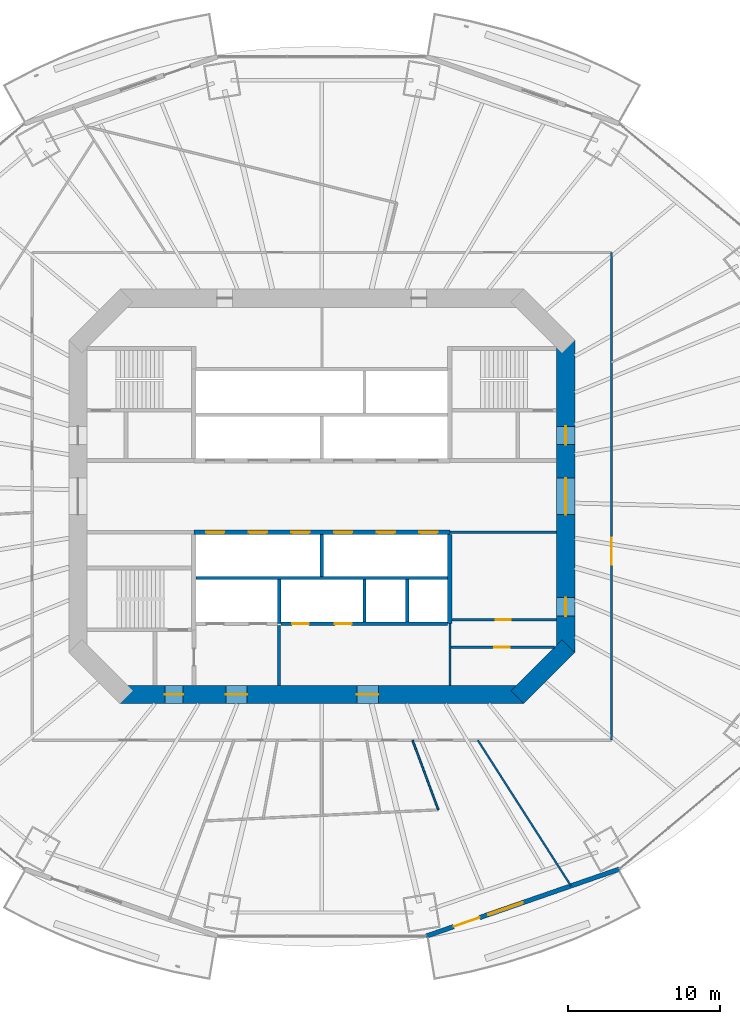
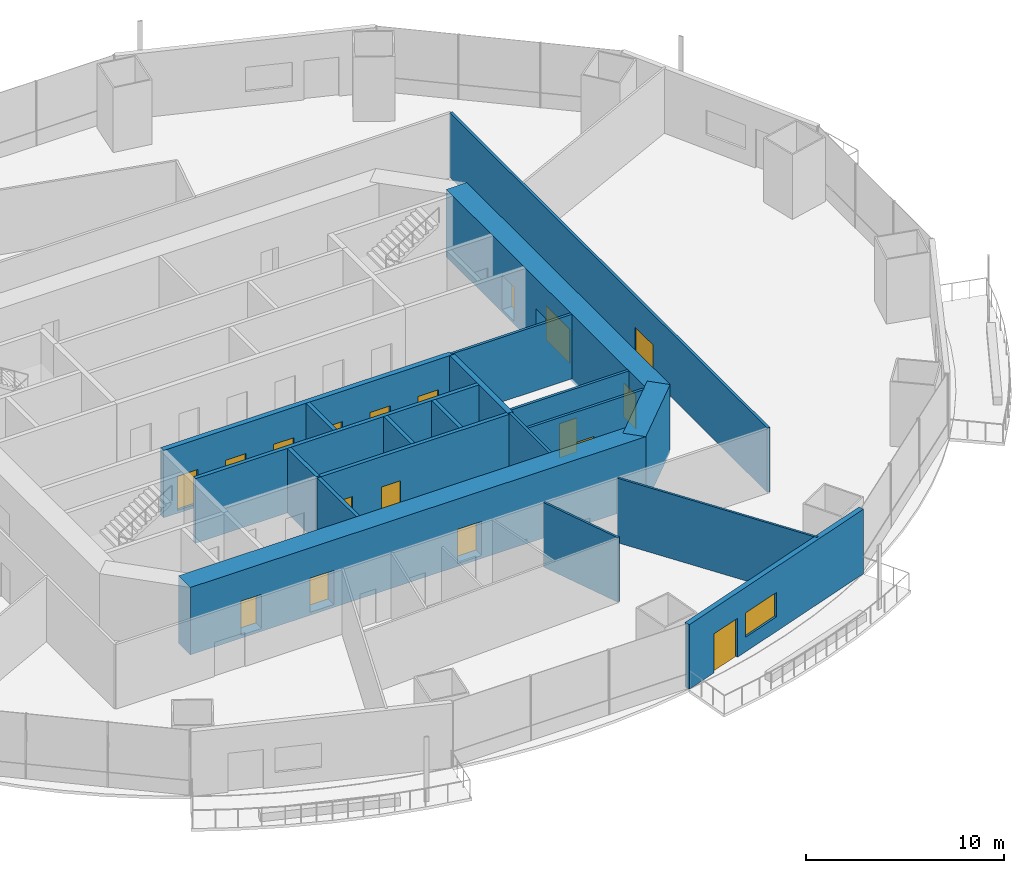
# One storey, part 14 of 22: 20 walls, 18 doors, 1 window, 19 openings.
"""IFC4 building model written with IfcOpenShell, lengths in metres."""

import ifcopenshell
import ifcopenshell.guid

model = None  # the IFC model being written
_history = None  # IfcOwnerHistory: only IFC2X3 demands one
_inside = {}  # id of a spatial element -> (the spatial element, [elements in it])
_under = {}  # id of a project, library or spatial element -> (it, [spatial elements below it])
_declared = {}  # id of a project -> (the project, [libraries it declares])
_typed = {}  # id of a type object -> (the type object, [elements of that type])
_made_of = {}  # id of a material, layer set ... -> (it, [elements and type objects made of it])


def new_model(schema):
    """Start an empty IFC model of exactly this schema.

    Asked for "IFC4X3", IfcOpenShell would pick the latest addendum, in which some entities
    have other attributes; the version numbers below select the first issue.
    IFC2X3 requires an IfcOwnerHistory on every rooted entity: one is made here for all.
    """
    global model, _history
    if schema == "IFC4X3":
        model = ifcopenshell.file(schema_version=(4, 3, 0, 0))
    else:
        model = ifcopenshell.file(schema=schema)
    _inside.clear()
    _under.clear()
    _declared.clear()
    _typed.clear()
    _made_of.clear()
    _history = None
    if model.schema == "IFC2X3":
        org = make("IfcOrganization", Name="unknown")
        user = make(
            "IfcPersonAndOrganization",
            ThePerson=make("IfcPerson", FamilyName="unknown"),
            TheOrganization=org,
        )
        app = make(
            "IfcApplication",
            ApplicationDeveloper=org,
            Version="unknown",
            ApplicationFullName="unknown",
            ApplicationIdentifier="unknown",
        )
        _history = make(
            "IfcOwnerHistory",
            OwningUser=user,
            OwningApplication=app,
            ChangeAction="ADDED",
            CreationDate=0,
        )
    return model


def make(cls, **values):
    """One entity of the class cls with the attributes given. An attribute that is None is left unset."""
    return model.create_entity(
        cls, **{name: value for name, value in values.items() if value is not None}
    )


def rooted(cls, **values):
    """An entity with a GlobalId (a new one), such as an element, a storey or a relation."""
    return make(cls, GlobalId=ifcopenshell.guid.new(), OwnerHistory=_history, **values)


def si_unit(unit_type, name, prefix=None):
    """IfcSIUnit, for example si_unit("LENGTHUNIT", "METRE", prefix="MILLI")."""
    return make("IfcSIUnit", UnitType=unit_type, Prefix=prefix, Name=name)


def assignment(units):
    """IfcUnitAssignment: the units of a project."""
    return None if units is None else make("IfcUnitAssignment", Units=units)


def point(xyz):
    """IfcCartesianPoint."""
    return None if xyz is None else make("IfcCartesianPoint", Coordinates=xyz)


def direction(xyz):
    """IfcDirection."""
    return None if xyz is None else make("IfcDirection", DirectionRatios=xyz)


def frame(location, z_axis=None, x_axis=None):
    """IfcAxis2Placement3D, a coordinate frame: its origin and axes. An axis left out is left unset."""
    return make(
        "IfcAxis2Placement3D",
        Location=point(location),
        Axis=direction(z_axis),
        RefDirection=direction(x_axis),
    )


def frame_2d(location, x_axis=None):
    """IfcAxis2Placement2D, a coordinate frame in the plane: its origin and x axis."""
    return make(
        "IfcAxis2Placement2D", Location=point(location), RefDirection=direction(x_axis)
    )


def origin():
    """The frame at (0, 0, 0) with its axes left unset."""
    return frame((0.0, 0.0, 0.0))


def place(relative_to, where):
    """IfcLocalPlacement: puts the frame where relative to a parent placement (None: the world)."""
    return make(
        "IfcLocalPlacement", PlacementRelTo=relative_to, RelativePlacement=where
    )


def context(
    kind, dimensions, precision=None, world=None, true_north=None, identifier=None
):
    """IfcGeometricRepresentationContext, for example the 3D "Model" context."""
    return make(
        "IfcGeometricRepresentationContext",
        ContextIdentifier=identifier,
        ContextType=kind,
        CoordinateSpaceDimension=dimensions,
        Precision=precision,
        WorldCoordinateSystem=world,
        TrueNorth=true_north,
    )


def subcontext(parent, identifier, kind, view, scale=None):
    """IfcGeometricRepresentationSubContext, for example "Body" below "Model"."""
    return make(
        "IfcGeometricRepresentationSubContext",
        ContextIdentifier=identifier,
        ContextType=kind,
        ParentContext=parent,
        TargetScale=scale,
        TargetView=view,
    )


def project(units=None, contexts=None):
    """IfcProject with its units and contexts."""
    return rooted(
        "IfcProject",
        Name="project",
        RepresentationContexts=contexts,
        UnitsInContext=assignment(units),
    )


def spatial(cls, under=None, at=None, **own):
    """A site, building, storey or space (cls), placed at a placement, below another one or the project."""
    s = rooted(cls, ObjectPlacement=at, **own)
    if under is not None:
        _under.setdefault(under.id(), (under, []))[1].append(s)
    return s


def profile(cls, at=None, kind="AREA", **sizes):
    """A parametric profile (cls). Its sizes go by their IFC names, for example OverallWidth=200.0."""
    return make(cls, ProfileType=kind, Position=at, **sizes)


def rectangle(**sizes):
    """IfcRectangleProfileDef."""
    return profile("IfcRectangleProfileDef", **sizes)


def extrude(swept, where, along, depth):
    """IfcExtrudedAreaSolid: the profile swept, set in the frame where, extruded along a direction by depth."""
    return make(
        "IfcExtrudedAreaSolid",
        SweptArea=swept,
        Position=where,
        ExtrudedDirection=direction(along),
        Depth=depth,
    )


def shape(context_of_items, identifier, shape_type, items):
    """IfcShapeRepresentation: the items that make up one representation, for example the "Body"."""
    return make(
        "IfcShapeRepresentation",
        ContextOfItems=context_of_items,
        RepresentationIdentifier=identifier,
        RepresentationType=shape_type,
        Items=items,
    )


def material(Name=None, Category=None):
    """IfcMaterial."""
    return make("IfcMaterial", Name=Name, Category=Category)


def layer(
    of_material, thickness, ventilated=None, Name=None, Category=None, Priority=None
):
    """IfcMaterialLayer: one layer of a wall or slab, of a material (None: an air gap)."""
    return make(
        "IfcMaterialLayer",
        Material=of_material,
        LayerThickness=thickness,
        IsVentilated=ventilated,
        Name=Name,
        Category=Category,
        Priority=Priority,
    )


def layer_set(layers, Name=None):
    """IfcMaterialLayerSet."""
    return make("IfcMaterialLayerSet", MaterialLayers=layers, LayerSetName=Name)


def made_of(thing, what):
    """Note that an element or type object is made of a material, layer set ...; save() writes the relation."""
    if what is not None:
        _made_of.setdefault(what.id(), (what, []))[1].append(thing)
    return thing


def type_object(cls, material=None, **own):
    """A type object (cls), such as IfcWallType, which elements share."""
    return made_of(rooted(cls, **own), material)


def element(
    cls,
    number,
    at=None,
    inside=None,
    cuts=None,
    type_object=None,
    material=None,
    context=None,
    identifier="Body",
    shape_type=None,
    held_by="IfcProductDefinitionShape",
    body=None,
    shapes=None,
    **own,
):
    """One element of the class cls, such as IfcWall. Its Tag is "e" and its number.

    at: its placement. inside: the storey or other place that contains it. cuts: it is an
    opening in that element (IfcRelVoidsElement). A single representation is given by context,
    identifier, shape_type and body (its items); several are given by shapes. held_by: the class
    of the entity that holds the representations. save() writes the other relations.
    """
    e = rooted(cls, Tag="e%d" % number, ObjectPlacement=at, **own)
    if body is not None:
        shapes = [shape(context, identifier, shape_type, body)]
    if shapes is not None:
        e.Representation = make(held_by, Representations=shapes)
    if inside is not None:
        _inside.setdefault(inside.id(), (inside, []))[1].append(e)
    if cuts is not None:
        rooted(
            "IfcRelVoidsElement", RelatingBuildingElement=cuts, RelatedOpeningElement=e
        )
    if type_object is not None:
        _typed.setdefault(type_object.id(), (type_object, []))[1].append(e)
    return made_of(e, material)


def fill(opening, filler):
    """IfcRelFillsElement: the door or window that sits in an opening."""
    return rooted(
        "IfcRelFillsElement",
        RelatingOpeningElement=opening,
        RelatedBuildingElement=filler,
    )


def aggregate(whole, parts):
    """IfcRelAggregates: a whole, such as a stair, and the parts it consists of."""
    return rooted("IfcRelAggregates", RelatingObject=whole, RelatedObjects=parts)


def save(model, path):
    """Write the relations noted so far, then the file.

    IfcRelAggregates (storeys below a building ...), IfcRelContainedInSpatialStructure (elements
    in a storey), IfcRelDefinesByType, IfcRelAssociatesMaterial and IfcRelDeclares: one each for
    every whole, place, type object, material and project.
    """
    for whole, parts in _under.values():
        aggregate(whole, parts)
    for where, things in _inside.values():
        rooted(
            "IfcRelContainedInSpatialStructure",
            RelatedElements=things,
            RelatingStructure=where,
        )
    for kind, things in _typed.values():
        rooted("IfcRelDefinesByType", RelatedObjects=things, RelatingType=kind)
    for what, things in _made_of.values():
        rooted("IfcRelAssociatesMaterial", RelatedObjects=things, RelatingMaterial=what)
    for by, libraries in _declared.values():
        rooted("IfcRelDeclares", RelatingContext=by, RelatedDefinitions=libraries)
    model.write(path)


model = new_model("IFC4")

# Units and contexts
model_context = context("Model", 3, precision=1e-05, world=origin(), true_north=direction((0.0, 1.0)))
body_context = subcontext(model_context, "Body", "Model", "MODEL_VIEW")
ifc_project = project(units=[si_unit("LENGTHUNIT", "METRE"), si_unit("AREAUNIT", "SQUARE_METRE"), si_unit("VOLUMEUNIT", "CUBIC_METRE"), si_unit("PLANEANGLEUNIT", "RADIAN"), si_unit("MASSUNIT", "GRAM", prefix="KILO")], contexts=[model_context])

# Site, building, storey
site_placement = place(None, origin())
site = spatial("IfcSite", under=ifc_project, at=site_placement, CompositionType="ELEMENT")
building_placement = place(site_placement, origin())
building = spatial("IfcBuilding", under=site, at=building_placement, Name="Marenthal Gate Tower", CompositionType="ELEMENT")
storey_placement = place(building_placement, frame((0.0, 0.0, 82.800048828125)))
storey = spatial("IfcBuildingStorey", under=building, at=storey_placement, Name="L16", CompositionType="ELEMENT", Elevation=82.800048828125)

# Wall
ifc_material_1 = material(Name="Concrete 60 MPa", Category="concrete")
ifc_layer_1 = layer(ifc_material_1, 1.199951171875)
ifc_layer_set_1 = layer_set([ifc_layer_1], Name="Core shear wall 1200")
wall_type_1 = type_object("IfcWallType", Name="Core shear wall 1200", PredefinedType="SHEAR", material=ifc_layer_set_1)
wall_1_placement = place(storey_placement, frame((12.82421875, -13.17578125, -0.179931640625), z_axis=(0.0, 0.0, 1.0), x_axis=(0.707106781187, 0.707106781187, 0.0)))
element("IfcWall", 1, at=wall_1_placement, inside=storey, type_object=wall_type_1, Name="Core wall 01", PredefinedType="SHEAR", context=body_context, shape_type="SweptSolid", body=[
    extrude(rectangle(XDim=4.73974609375, YDim=1.199951171875, at=frame_2d((2.369873046875, 0.0))), origin(), (0.0, 0.0, 1.0), 4.14990234375),
])

# Wall, openings, doors
wall_2_placement = place(storey_placement, frame((16.0, -10.24853515625, -0.179931640625), z_axis=(0.0, 0.0, 1.0), x_axis=(0.0, 1.0, 0.0)))
wall_2 = element("IfcWall", 2, at=wall_2_placement, inside=storey, type_object=wall_type_1, Name="Core wall 02", PredefinedType="SHEAR", context=body_context, shape_type="SweptSolid", body=[
    extrude(rectangle(XDim=20.4970703125, YDim=1.199951171875, at=frame_2d((10.24853515625, 0.0))), origin(), (0.0, 0.0, 1.0), 4.14990234375),
])
opening_1_placement = place(wall_2_placement, frame((9.048583984375, 0.0, 0.179931640625)))
opening_1 = element("IfcOpeningElement", 3, at=opening_1_placement, cuts=wall_2, Name="Opening D003.02", PredefinedType="OPENING", context=body_context, shape_type="SweptSolid", body=[
    extrude(rectangle(XDim=2.39990234375, YDim=2.10009765625, at=frame_2d((1.199951171875, 1.050048828125))), frame((0.0, 0.60986328125, 0.0), z_axis=(0.0, -1.0, 0.0), x_axis=(1.0, 0.0, 0.0)), (0.0, 0.0, 1.0), 1.219970703125),
])
opening_2_placement = place(wall_2_placement, frame((13.6484375, 0.0, 0.179931640625)))
opening_2 = element("IfcOpeningElement", 4, at=opening_2_placement, cuts=wall_2, Name="Opening D001.05", PredefinedType="OPENING", context=body_context, shape_type="SweptSolid", body=[
    extrude(rectangle(XDim=1.199951171875, YDim=2.10009765625, at=frame_2d((0.60009765625, 1.050048828125))), frame((0.0, 0.60986328125, 0.0), z_axis=(0.0, -1.0, 0.0), x_axis=(1.0, 0.0, 0.0)), (0.0, 0.0, 1.0), 1.219970703125),
])
opening_3_placement = place(wall_2_placement, frame((2.39990234375, 0.0, 0.179931640625)))
opening_3 = element("IfcOpeningElement", 5, at=opening_3_placement, cuts=wall_2, Name="Opening D006.01", PredefinedType="OPENING", context=body_context, shape_type="SweptSolid", body=[
    extrude(rectangle(XDim=1.199951171875, YDim=2.10009765625, at=frame_2d((0.60009765625, 1.050048828125))), frame((0.0, 0.60986328125, 0.0), z_axis=(0.0, -1.0, 0.0), x_axis=(1.0, 0.0, 0.0)), (0.0, 0.0, 1.0), 1.219970703125),
])
ifc_material_2 = material(Name="Steel fire door", Category="steel")
door_type_1 = type_object("IfcDoorType", Name="Double fire door FD 45 2400 x 2100", OperationType="DOUBLE_DOOR_SINGLE_SWING", PredefinedType="DOOR", material=ifc_material_2)
door_1_placement = place(opening_1_placement, origin())
door_1 = element("IfcDoor", 6, at=door_1_placement, inside=storey, type_object=door_type_1, Name="Door D003.02", OperationType="DOUBLE_DOOR_SINGLE_SWING", OverallHeight=2.10009765625, OverallWidth=2.39990234375, PredefinedType="DOOR", context=body_context, shape_type="SweptSolid", body=[
    extrude(rectangle(XDim=2.39990234375, YDim=2.10009765625, at=frame_2d((1.199951171875, 1.050048828125))), frame((0.0, 0.02490234375, 0.0), z_axis=(0.0, -1.0, 0.0), x_axis=(1.0, 0.0, 0.0)), (0.0, 0.0, 1.0), 0.050048828125),
])
fill(opening_1, door_1)
ifc_material_3 = material(Name="Steel fire door", Category="steel")
door_type_2 = type_object("IfcDoorType", Name="Fire door FD 45 1200 x 2100", OperationType="NOTDEFINED", PredefinedType="DOOR", material=ifc_material_3)
door_2_placement = place(opening_3_placement, origin())
door_2 = element("IfcDoor", 7, at=door_2_placement, inside=storey, type_object=door_type_2, Name="Door D006.01", OperationType="SINGLE_SWING_RIGHT", OverallHeight=2.10009765625, OverallWidth=1.199951171875, PredefinedType="DOOR", context=body_context, shape_type="SweptSolid", body=[
    extrude(rectangle(XDim=1.199951171875, YDim=2.10009765625, at=frame_2d((0.60009765625, 1.050048828125))), frame((0.0, 0.02490234375, 0.0), z_axis=(0.0, -1.0, 0.0), x_axis=(1.0, 0.0, 0.0)), (0.0, 0.0, 1.0), 0.050048828125),
])
fill(opening_3, door_2)
ifc_material_4 = material(Name="Steel fire door", Category="steel")
door_type_3 = type_object("IfcDoorType", Name="Fire door FD 90 1200 x 2100", OperationType="NOTDEFINED", PredefinedType="DOOR", material=ifc_material_4)
door_3_placement = place(opening_2_placement, origin())
door_3 = element("IfcDoor", 8, at=door_3_placement, inside=storey, type_object=door_type_3, Name="Door D001.05", OperationType="SINGLE_SWING_RIGHT", OverallHeight=2.10009765625, OverallWidth=1.199951171875, PredefinedType="DOOR", context=body_context, shape_type="SweptSolid", body=[
    extrude(rectangle(XDim=1.199951171875, YDim=2.10009765625, at=frame_2d((0.60009765625, 1.050048828125))), frame((0.0, 0.02490234375, 0.0), z_axis=(0.0, -1.0, 0.0), x_axis=(1.0, 0.0, 0.0)), (0.0, 0.0, 1.0), 0.050048828125),
])
fill(opening_2, door_3)

wall_3_placement = place(storey_placement, frame((-13.24853515625, -13.0, -0.179931640625), z_axis=(0.0, 0.0, 1.0), x_axis=(1.0, 0.0, 0.0)))
wall_3 = element("IfcWall", 9, at=wall_3_placement, inside=storey, type_object=wall_type_1, Name="Core wall 08", PredefinedType="SHEAR", context=body_context, shape_type="SweptSolid", body=[
    extrude(rectangle(XDim=26.4970703125, YDim=1.199951171875, at=frame_2d((13.24853515625, 0.0))), origin(), (0.0, 0.0, 1.0), 4.14990234375),
])
opening_4_placement = place(wall_3_placement, frame((2.948486328125, 0.0, 0.179931640625)))
opening_4 = element("IfcOpeningElement", 10, at=opening_4_placement, cuts=wall_3, Name="Opening D001.06", PredefinedType="OPENING", context=body_context, shape_type="SweptSolid", body=[
    extrude(rectangle(XDim=1.199951171875, YDim=2.10009765625, at=frame_2d((0.60009765625, 1.050048828125))), frame((0.0, 0.60986328125, 0.0), z_axis=(0.0, -1.0, 0.0), x_axis=(1.0, 0.0, 0.0)), (0.0, 0.0, 1.0), 1.219970703125),
])
opening_5_placement = place(wall_3_placement, frame((6.948486328125, 0.0, 0.179931640625)))
opening_5 = element("IfcOpeningElement", 11, at=opening_5_placement, cuts=wall_3, Name="Opening D004.01", PredefinedType="OPENING", context=body_context, shape_type="SweptSolid", body=[
    extrude(rectangle(XDim=1.39990234375, YDim=2.10009765625, at=frame_2d((0.699951171875, 1.050048828125))), frame((0.0, 0.60986328125, 0.0), z_axis=(0.0, -1.0, 0.0), x_axis=(1.0, 0.0, 0.0)), (0.0, 0.0, 1.0), 1.219970703125),
])
opening_6_placement = place(wall_3_placement, frame((15.548583984375, 0.0, 0.179931640625)))
opening_6 = element("IfcOpeningElement", 12, at=opening_6_placement, cuts=wall_3, Name="Opening D004.02", PredefinedType="OPENING", context=body_context, shape_type="SweptSolid", body=[
    extrude(rectangle(XDim=1.39990234375, YDim=2.10009765625, at=frame_2d((0.699951171875, 1.050048828125))), frame((0.0, 0.60986328125, 0.0), z_axis=(0.0, -1.0, 0.0), x_axis=(1.0, 0.0, 0.0)), (0.0, 0.0, 1.0), 1.219970703125),
])
ifc_material_5 = material(Name="Steel fire door", Category="steel")
door_type_4 = type_object("IfcDoorType", Name="Fire door FD 45 1400 x 2100", OperationType="NOTDEFINED", PredefinedType="DOOR", material=ifc_material_5)
door_4_placement = place(opening_5_placement, origin())
door_4 = element("IfcDoor", 13, at=door_4_placement, inside=storey, type_object=door_type_4, Name="Door D004.01", OperationType="SINGLE_SWING_RIGHT", OverallHeight=2.10009765625, OverallWidth=1.39990234375, PredefinedType="DOOR", context=body_context, shape_type="SweptSolid", body=[
    extrude(rectangle(XDim=1.39990234375, YDim=2.10009765625, at=frame_2d((0.699951171875, 1.050048828125))), frame((0.0, 0.02490234375, 0.0), z_axis=(0.0, -1.0, 0.0), x_axis=(1.0, 0.0, 0.0)), (0.0, 0.0, 1.0), 0.050048828125),
])
fill(opening_5, door_4)
door_5_placement = place(opening_6_placement, origin())
door_5 = element("IfcDoor", 14, at=door_5_placement, inside=storey, type_object=door_type_4, Name="Door D004.02", OperationType="SINGLE_SWING_RIGHT", OverallHeight=2.10009765625, OverallWidth=1.39990234375, PredefinedType="DOOR", context=body_context, shape_type="SweptSolid", body=[
    extrude(rectangle(XDim=1.39990234375, YDim=2.10009765625, at=frame_2d((0.699951171875, 1.050048828125))), frame((0.0, 0.02490234375, 0.0), z_axis=(0.0, -1.0, 0.0), x_axis=(1.0, 0.0, 0.0)), (0.0, 0.0, 1.0), 0.050048828125),
])
fill(opening_6, door_5)
door_6_placement = place(opening_4_placement, origin())
door_6 = element("IfcDoor", 15, at=door_6_placement, inside=storey, type_object=door_type_3, Name="Door D001.06", OperationType="SINGLE_SWING_RIGHT", OverallHeight=2.10009765625, OverallWidth=1.199951171875, PredefinedType="DOOR", context=body_context, shape_type="SweptSolid", body=[
    extrude(rectangle(XDim=1.199951171875, YDim=2.10009765625, at=frame_2d((0.60009765625, 1.050048828125))), frame((0.0, 0.02490234375, 0.0), z_axis=(0.0, -1.0, 0.0), x_axis=(1.0, 0.0, 0.0)), (0.0, 0.0, 1.0), 0.050048828125),
])
fill(opening_4, door_6)

# Wall
ifc_material_6 = material(Name="Gypsum board on steel studs", Category="steel")
ifc_layer_2 = layer(ifc_material_6, 0.199951171875)
ifc_layer_set_2 = layer_set([ifc_layer_2], Name="Fire lobby wall 200")
wall_type_2 = type_object("IfcWallType", Name="Fire lobby wall 200", PredefinedType="PARTITIONING", material=ifc_layer_set_2)
wall_4_placement = place(storey_placement, frame((-2.800048828125, -12.39990234375, 0.0), z_axis=(0.0, 0.0, 1.0), x_axis=(0.0, 1.0, 0.0)))
element("IfcWall", 16, at=wall_4_placement, inside=storey, type_object=wall_type_2, Name="Fire wall 34", PredefinedType="PARTITIONING", context=body_context, shape_type="SweptSolid", body=[
    extrude(rectangle(XDim=3.93994140625, YDim=0.199951171875, at=frame_2d((1.969970703125, 0.0))), origin(), (0.0, 0.0, 1.0), 3.969970703125),
])

# Wall, openings, doors
ifc_material_7 = material(Name="Concrete 50 MPa", Category="concrete")
ifc_layer_3 = layer(ifc_material_7, 0.300048828125)
ifc_layer_set_3 = layer_set([ifc_layer_3], Name="Hoistway shear wall 300")
wall_type_3 = type_object("IfcWallType", Name="Hoistway shear wall 300", PredefinedType="SHEAR", material=ifc_layer_set_3)
wall_5_placement = place(storey_placement, frame((-8.39990234375, -2.35009765625, -0.179931640625), z_axis=(0.0, 0.0, 1.0), x_axis=(1.0, 0.0, 0.0)))
wall_5 = element("IfcWall", 17, at=wall_5_placement, inside=storey, type_object=wall_type_3, Name="Hoistway wall 17", PredefinedType="SHEAR", context=body_context, shape_type="SweptSolid", body=[
    extrude(rectangle(XDim=16.7998046875, YDim=0.300048828125, at=frame_2d((8.39990234375, 0.0))), origin(), (0.0, 0.0, 1.0), 4.14990234375),
])
opening_7_placement = place(wall_5_placement, frame((0.800048828125, 0.0, 0.179931640625)))
opening_7 = element("IfcOpeningElement", 18, at=opening_7_placement, cuts=wall_5, Name="Opening LD-LP7", PredefinedType="OPENING", context=body_context, shape_type="SweptSolid", body=[
    extrude(rectangle(XDim=1.199951171875, YDim=2.10009765625, at=frame_2d((0.60009765625, 1.050048828125))), frame((0.0, 0.16015625, 0.0), z_axis=(0.0, -1.0, 0.0), x_axis=(1.0, 0.0, 0.0)), (0.0, 0.0, 1.0), 0.320068359375),
])
opening_8_placement = place(wall_5_placement, frame((3.60009765625, 0.0, 0.179931640625)))
opening_8 = element("IfcOpeningElement", 19, at=opening_8_placement, cuts=wall_5, Name="Opening LD-LP8", PredefinedType="OPENING", context=body_context, shape_type="SweptSolid", body=[
    extrude(rectangle(XDim=1.199951171875, YDim=2.10009765625, at=frame_2d((0.60009765625, 1.050048828125))), frame((0.0, 0.16015625, 0.0), z_axis=(0.0, -1.0, 0.0), x_axis=(1.0, 0.0, 0.0)), (0.0, 0.0, 1.0), 0.320068359375),
])
opening_9_placement = place(wall_5_placement, frame((6.39990234375, 0.0, 0.179931640625)))
opening_9 = element("IfcOpeningElement", 20, at=opening_9_placement, cuts=wall_5, Name="Opening LD-LP9", PredefinedType="OPENING", context=body_context, shape_type="SweptSolid", body=[
    extrude(rectangle(XDim=1.199951171875, YDim=2.10009765625, at=frame_2d((0.60009765625, 1.050048828125))), frame((0.0, 0.16015625, 0.0), z_axis=(0.0, -1.0, 0.0), x_axis=(1.0, 0.0, 0.0)), (0.0, 0.0, 1.0), 0.320068359375),
])
opening_10_placement = place(wall_5_placement, frame((9.199951171875, 0.0, 0.179931640625)))
opening_10 = element("IfcOpeningElement", 21, at=opening_10_placement, cuts=wall_5, Name="Opening LD-LP10", PredefinedType="OPENING", context=body_context, shape_type="SweptSolid", body=[
    extrude(rectangle(XDim=1.199951171875, YDim=2.10009765625, at=frame_2d((0.60009765625, 1.050048828125))), frame((0.0, 0.16015625, 0.0), z_axis=(0.0, -1.0, 0.0), x_axis=(1.0, 0.0, 0.0)), (0.0, 0.0, 1.0), 0.320068359375),
])
opening_11_placement = place(wall_5_placement, frame((12.0, 0.0, 0.179931640625)))
opening_11 = element("IfcOpeningElement", 22, at=opening_11_placement, cuts=wall_5, Name="Opening LD-LP11", PredefinedType="OPENING", context=body_context, shape_type="SweptSolid", body=[
    extrude(rectangle(XDim=1.199951171875, YDim=2.10009765625, at=frame_2d((0.60009765625, 1.050048828125))), frame((0.0, 0.16015625, 0.0), z_axis=(0.0, -1.0, 0.0), x_axis=(1.0, 0.0, 0.0)), (0.0, 0.0, 1.0), 0.320068359375),
])
opening_12_placement = place(wall_5_placement, frame((14.800048828125, 0.0, 0.179931640625)))
opening_12 = element("IfcOpeningElement", 23, at=opening_12_placement, cuts=wall_5, Name="Opening LD-LP12", PredefinedType="OPENING", context=body_context, shape_type="SweptSolid", body=[
    extrude(rectangle(XDim=1.199951171875, YDim=2.10009765625, at=frame_2d((0.60009765625, 1.050048828125))), frame((0.0, 0.16015625, 0.0), z_axis=(0.0, -1.0, 0.0), x_axis=(1.0, 0.0, 0.0)), (0.0, 0.0, 1.0), 0.320068359375),
])
ifc_material_8 = material(Name="Stainless steel sliding door", Category="steel")
door_type_5 = type_object("IfcDoorType", Name="Lift landing door FD 90 1200 x 2100", OperationType="DOUBLE_DOOR_SLIDING", PredefinedType="DOOR", material=ifc_material_8)
door_7_placement = place(opening_7_placement, origin())
door_7 = element("IfcDoor", 24, at=door_7_placement, inside=storey, type_object=door_type_5, Name="Lift landing door LP7", OperationType="DOUBLE_DOOR_SLIDING", OverallHeight=2.10009765625, OverallWidth=1.199951171875, PredefinedType="DOOR", context=body_context, shape_type="SweptSolid", body=[
    extrude(rectangle(XDim=1.199951171875, YDim=2.10009765625, at=frame_2d((0.60009765625, 1.050048828125))), frame((0.0, 0.02490234375, 0.0), z_axis=(0.0, -1.0, 0.0), x_axis=(1.0, 0.0, 0.0)), (0.0, 0.0, 1.0), 0.050048828125),
])
fill(opening_7, door_7)
door_8_placement = place(opening_8_placement, origin())
door_8 = element("IfcDoor", 25, at=door_8_placement, inside=storey, type_object=door_type_5, Name="Lift landing door LP8", OperationType="DOUBLE_DOOR_SLIDING", OverallHeight=2.10009765625, OverallWidth=1.199951171875, PredefinedType="DOOR", context=body_context, shape_type="SweptSolid", body=[
    extrude(rectangle(XDim=1.199951171875, YDim=2.10009765625, at=frame_2d((0.60009765625, 1.050048828125))), frame((0.0, 0.02490234375, 0.0), z_axis=(0.0, -1.0, 0.0), x_axis=(1.0, 0.0, 0.0)), (0.0, 0.0, 1.0), 0.050048828125),
])
fill(opening_8, door_8)
door_9_placement = place(opening_9_placement, origin())
door_9 = element("IfcDoor", 26, at=door_9_placement, inside=storey, type_object=door_type_5, Name="Lift landing door LP9", OperationType="DOUBLE_DOOR_SLIDING", OverallHeight=2.10009765625, OverallWidth=1.199951171875, PredefinedType="DOOR", context=body_context, shape_type="SweptSolid", body=[
    extrude(rectangle(XDim=1.199951171875, YDim=2.10009765625, at=frame_2d((0.60009765625, 1.050048828125))), frame((0.0, 0.02490234375, 0.0), z_axis=(0.0, -1.0, 0.0), x_axis=(1.0, 0.0, 0.0)), (0.0, 0.0, 1.0), 0.050048828125),
])
fill(opening_9, door_9)
door_10_placement = place(opening_10_placement, origin())
door_10 = element("IfcDoor", 27, at=door_10_placement, inside=storey, type_object=door_type_5, Name="Lift landing door LP10", OperationType="DOUBLE_DOOR_SLIDING", OverallHeight=2.10009765625, OverallWidth=1.199951171875, PredefinedType="DOOR", context=body_context, shape_type="SweptSolid", body=[
    extrude(rectangle(XDim=1.199951171875, YDim=2.10009765625, at=frame_2d((0.60009765625, 1.050048828125))), frame((0.0, 0.02490234375, 0.0), z_axis=(0.0, -1.0, 0.0), x_axis=(1.0, 0.0, 0.0)), (0.0, 0.0, 1.0), 0.050048828125),
])
fill(opening_10, door_10)
door_11_placement = place(opening_11_placement, origin())
door_11 = element("IfcDoor", 28, at=door_11_placement, inside=storey, type_object=door_type_5, Name="Lift landing door LP11", OperationType="DOUBLE_DOOR_SLIDING", OverallHeight=2.10009765625, OverallWidth=1.199951171875, PredefinedType="DOOR", context=body_context, shape_type="SweptSolid", body=[
    extrude(rectangle(XDim=1.199951171875, YDim=2.10009765625, at=frame_2d((0.60009765625, 1.050048828125))), frame((0.0, 0.02490234375, 0.0), z_axis=(0.0, -1.0, 0.0), x_axis=(1.0, 0.0, 0.0)), (0.0, 0.0, 1.0), 0.050048828125),
])
fill(opening_11, door_11)
door_12_placement = place(opening_12_placement, origin())
door_12 = element("IfcDoor", 29, at=door_12_placement, inside=storey, type_object=door_type_5, Name="Lift landing door LP12", OperationType="DOUBLE_DOOR_SLIDING", OverallHeight=2.10009765625, OverallWidth=1.199951171875, PredefinedType="DOOR", context=body_context, shape_type="SweptSolid", body=[
    extrude(rectangle(XDim=1.199951171875, YDim=2.10009765625, at=frame_2d((0.60009765625, 1.050048828125))), frame((0.0, 0.02490234375, 0.0), z_axis=(0.0, -1.0, 0.0), x_axis=(1.0, 0.0, 0.0)), (0.0, 0.0, 1.0), 0.050048828125),
])
fill(opening_12, door_12)

# Wall
wall_6_placement = place(storey_placement, frame((8.39990234375, -8.35009765625, -0.179931640625), z_axis=(0.0, 0.0, 1.0), x_axis=(0.0, 1.0, 0.0)))
element("IfcWall", 30, at=wall_6_placement, inside=storey, type_object=wall_type_3, Name="Hoistway wall 43", PredefinedType="SHEAR", context=body_context, shape_type="SweptSolid", body=[
    extrude(rectangle(XDim=5.85009765625, YDim=0.300048828125, at=frame_2d((2.925048828125, 0.0))), origin(), (0.0, 0.0, 1.0), 4.14990234375),
])

# Wall, openings, doors
ifc_material_9 = material(Name="Concrete 40 MPa", Category="concrete")
ifc_layer_4 = layer(ifc_material_9, 0.219970703125)
ifc_layer_set_4 = layer_set([ifc_layer_4], Name="Hoistway wall 220")
wall_type_4 = type_object("IfcWallType", Name="Hoistway wall 220", PredefinedType="STANDARD", material=ifc_layer_set_4)
wall_7_placement = place(storey_placement, frame((-2.68994140625, -8.35009765625, 0.0), z_axis=(0.0, 0.0, 1.0), x_axis=(1.0, 0.0, 0.0)))
wall_7 = element("IfcWall", 31, at=wall_7_placement, inside=storey, type_object=wall_type_4, Name="Hoistway wall 12", PredefinedType="STANDARD", context=body_context, shape_type="SweptSolid", body=[
    extrude(rectangle(XDim=10.93994140625, YDim=0.219970703125, at=frame_2d((5.469970703125, 0.0))), origin(), (0.0, 0.0, 1.0), 3.969970703125),
])
opening_13_placement = place(wall_7_placement, frame((0.739990234375, 0.0, 0.0)))
opening_13 = element("IfcOpeningElement", 32, at=opening_13_placement, cuts=wall_7, Name="Opening LD-SV1", PredefinedType="OPENING", context=body_context, shape_type="SweptSolid", body=[
    extrude(rectangle(XDim=1.10009765625, YDim=2.10009765625, at=frame_2d((0.550048828125, 1.050048828125))), frame((0.0, 0.1201171875, 0.0), z_axis=(0.0, -1.0, 0.0), x_axis=(1.0, 0.0, 0.0)), (0.0, 0.0, 1.0), 0.239990234375),
])
opening_14_placement = place(wall_7_placement, frame((3.5400390625, 0.0, 0.0)))
opening_14 = element("IfcOpeningElement", 33, at=opening_14_placement, cuts=wall_7, Name="Opening LD-SV2", PredefinedType="OPENING", context=body_context, shape_type="SweptSolid", body=[
    extrude(rectangle(XDim=1.10009765625, YDim=2.10009765625, at=frame_2d((0.550048828125, 1.050048828125))), frame((0.0, 0.1201171875, 0.0), z_axis=(0.0, -1.0, 0.0), x_axis=(1.0, 0.0, 0.0)), (0.0, 0.0, 1.0), 0.239990234375),
])
ifc_material_10 = material(Name="Stainless steel sliding door", Category="steel")
door_type_6 = type_object("IfcDoorType", Name="Lift landing door FD 90 1100 x 2100", OperationType="DOUBLE_DOOR_SLIDING", PredefinedType="DOOR", material=ifc_material_10)
door_13_placement = place(opening_13_placement, origin())
door_13 = element("IfcDoor", 34, at=door_13_placement, inside=storey, type_object=door_type_6, Name="Lift landing door SV1", OperationType="DOUBLE_DOOR_SLIDING", OverallHeight=2.10009765625, OverallWidth=1.10009765625, PredefinedType="DOOR", context=body_context, shape_type="SweptSolid", body=[
    extrude(rectangle(XDim=1.10009765625, YDim=2.10009765625, at=frame_2d((0.550048828125, 1.050048828125))), frame((0.0, 0.02490234375, 0.0), z_axis=(0.0, -1.0, 0.0), x_axis=(1.0, 0.0, 0.0)), (0.0, 0.0, 1.0), 0.050048828125),
])
fill(opening_13, door_13)
door_14_placement = place(opening_14_placement, origin())
door_14 = element("IfcDoor", 35, at=door_14_placement, inside=storey, type_object=door_type_6, Name="Lift landing door SV2", OperationType="DOUBLE_DOOR_SLIDING", OverallHeight=2.10009765625, OverallWidth=1.10009765625, PredefinedType="DOOR", context=body_context, shape_type="SweptSolid", body=[
    extrude(rectangle(XDim=1.10009765625, YDim=2.10009765625, at=frame_2d((0.550048828125, 1.050048828125))), frame((0.0, 0.02490234375, 0.0), z_axis=(0.0, -1.0, 0.0), x_axis=(1.0, 0.0, 0.0)), (0.0, 0.0, 1.0), 0.050048828125),
])
fill(opening_14, door_14)

# Walls
wall_8_placement = place(storey_placement, frame((-8.25, -5.35009765625, 0.0), z_axis=(0.0, 0.0, 1.0), x_axis=(1.0, 0.0, 0.0)))
element("IfcWall", 36, at=wall_8_placement, inside=storey, type_object=wall_type_4, Name="Hoistway wall 14", PredefinedType="STANDARD", context=body_context, shape_type="SweptSolid", body=[
    extrude(rectangle(XDim=16.5, YDim=0.219970703125, at=frame_2d((8.25, 0.0))), origin(), (0.0, 0.0, 1.0), 3.969970703125),
])
wall_9_placement = place(storey_placement, frame((-2.800048828125, -8.35009765625, 0.0), z_axis=(0.0, 0.0, 1.0), x_axis=(0.0, 1.0, 0.0)))
element("IfcWall", 37, at=wall_9_placement, inside=storey, type_object=wall_type_4, Name="Hoistway wall 35", PredefinedType="STANDARD", context=body_context, shape_type="SweptSolid", body=[
    extrude(rectangle(XDim=2.89013671875, YDim=0.219970703125, at=frame_2d((1.445068359375, 0.0))), origin(), (0.0, 0.0, 1.0), 3.969970703125),
])
wall_10_placement = place(storey_placement, frame((0.0, -5.239990234375, 0.0), z_axis=(0.0, 0.0, 1.0), x_axis=(0.0, 1.0, 0.0)))
element("IfcWall", 38, at=wall_10_placement, inside=storey, type_object=wall_type_4, Name="Hoistway wall 36", PredefinedType="STANDARD", context=body_context, shape_type="SweptSolid", body=[
    extrude(rectangle(XDim=2.739990234375, YDim=0.219970703125, at=frame_2d((1.3701171875, 0.0))), origin(), (0.0, 0.0, 1.0), 3.969970703125),
])
for number, where, z_axis, x_axis, name in (
    (39, (2.800048828125, -8.239990234375, 0.0), (0.0, 0.0, 1.0), (0.0, 1.0, 0.0), "Hoistway wall 39"),
    (40, (5.60009765625, -8.239990234375, 0.0), (0.0, 0.0, 1.0), (0.0, 1.0, 0.0), "Hoistway wall 41"),
):
    element("IfcWall", number, at=place(storey_placement, frame(where, z_axis=z_axis, x_axis=x_axis)), inside=storey, type_object=wall_type_4, Name=name, PredefinedType="STANDARD", context=body_context, shape_type="SweptSolid", body=[
        extrude(rectangle(XDim=2.780029296875, YDim=0.219970703125, at=frame_2d((1.39013671875, 0.0))), origin(), (0.0, 0.0, 1.0), 3.969970703125),
    ])
ifc_material_11 = material(Name="Gypsum board on steel studs", Category="steel")
ifc_layer_5 = layer(ifc_material_11, 0.1201171875)
ifc_layer_set_5 = layer_set([ifc_layer_5], Name="Partition 120")
wall_type_5 = type_object("IfcWallType", Name="Partition 120", PredefinedType="PARTITIONING", material=ifc_layer_set_5)
wall_11_placement = place(storey_placement, frame((7.64306640625, -20.564697265625, 0.0), z_axis=(0.0, 0.0, 1.0), x_axis=(-0.348380368387, 0.93735325194, 0.0)))
element("IfcWall", 41, at=wall_11_placement, inside=storey, type_object=wall_type_5, Name="Partition wall 62", PredefinedType="PARTITIONING", context=body_context, shape_type="SweptSolid", body=[
    extrude(rectangle(XDim=4.869873046875, YDim=0.1201171875, at=frame_2d((2.43505859375, 0.0))), origin(), (0.0, 0.0, 1.0), 3.969970703125),
])
wall_12_placement = place(storey_placement, frame((10.231201171875, -16.0, 0.0), z_axis=(0.0, 0.0, 1.0), x_axis=(0.538717793893, -0.84248628389, 0.0)))
element("IfcWall", 42, at=wall_12_placement, inside=storey, type_object=wall_type_5, Name="Partition wall 63", PredefinedType="PARTITIONING", context=body_context, shape_type="SweptSolid", body=[
    extrude(rectangle(XDim=11.34521484375, YDim=0.1201171875, at=frame_2d((5.672607421875, 0.0))), origin(), (0.0, 0.0, 1.0), 3.969970703125),
])

# Wall, opening, door
ifc_material_12 = material(Name="Gypsum board on steel studs", Category="steel")
ifc_layer_6 = layer(ifc_material_12, 0.14990234375)
ifc_layer_set_6 = layer_set([ifc_layer_6], Name="Partition 150")
wall_type_6 = type_object("IfcWallType", Name="Partition 150", PredefinedType="PARTITIONING", material=ifc_layer_set_6)
wall_13_placement = place(storey_placement, frame((8.47509765625, -9.89990234375, 0.0), z_axis=(0.0, 0.0, 1.0), x_axis=(1.0, 0.0, 0.0)))
wall_13 = element("IfcWall", 43, at=wall_13_placement, inside=storey, type_object=wall_type_6, Name="Partition wall 09", PredefinedType="PARTITIONING", context=body_context, shape_type="SweptSolid", body=[
    extrude(rectangle(XDim=6.7763671875, YDim=0.14990234375, at=frame_2d((3.38818359375, 0.0))), origin(), (0.0, 0.0, 1.0), 3.969970703125),
])
opening_15_placement = place(wall_13_placement, frame((2.8505859375, 0.0, 0.0)))
opening_15 = element("IfcOpeningElement", 44, at=opening_15_placement, cuts=wall_13, Name="Opening D005.04", PredefinedType="OPENING", context=body_context, shape_type="SweptSolid", body=[
    extrude(rectangle(XDim=1.0, YDim=2.10009765625, at=frame_2d((0.5, 1.050048828125))), frame((0.0, 0.0849609375, 0.0), z_axis=(0.0, -1.0, 0.0), x_axis=(1.0, 0.0, 0.0)), (0.0, 0.0, 1.0), 0.169921875),
])
ifc_material_13 = material(Name="Steel fire door", Category="steel")
door_type_7 = type_object("IfcDoorType", Name="Fire door FD 45 1000 x 2100", OperationType="NOTDEFINED", PredefinedType="DOOR", material=ifc_material_13)
door_15_placement = place(opening_15_placement, frame((1.0, 0.0, 0.0), z_axis=(0.0, 0.0, 1.0), x_axis=(-1.0, 0.0, 0.0)))
door_15 = element("IfcDoor", 45, at=door_15_placement, inside=storey, type_object=door_type_7, Name="Door D005.04", OperationType="SINGLE_SWING_LEFT", OverallHeight=2.10009765625, OverallWidth=1.0, PredefinedType="DOOR", context=body_context, shape_type="SweptSolid", body=[
    extrude(rectangle(XDim=1.0, YDim=2.10009765625, at=frame_2d((0.5, 1.050048828125))), frame((0.0, 0.02490234375, 0.0), z_axis=(0.0, -1.0, 0.0), x_axis=(1.0, 0.0, 0.0)), (0.0, 0.0, 1.0), 0.050048828125),
])
fill(opening_15, door_15)

wall_14_placement = place(storey_placement, frame((8.550048828125, -8.10009765625, 0.0), z_axis=(0.0, 0.0, 1.0), x_axis=(1.0, 0.0, 0.0)))
wall_14 = element("IfcWall", 46, at=wall_14_placement, inside=storey, type_object=wall_type_6, Name="Partition wall 13", PredefinedType="PARTITIONING", context=body_context, shape_type="SweptSolid", body=[
    extrude(rectangle(XDim=6.849853515625, YDim=0.14990234375, at=frame_2d((3.4248046875, 0.0))), origin(), (0.0, 0.0, 1.0), 3.969970703125),
])
opening_16_placement = place(wall_14_placement, frame((2.85009765625, 0.0, 0.0)))
opening_16 = element("IfcOpeningElement", 47, at=opening_16_placement, cuts=wall_14, Name="Opening D005.03", PredefinedType="OPENING", context=body_context, shape_type="SweptSolid", body=[
    extrude(rectangle(XDim=1.0, YDim=2.10009765625, at=frame_2d((0.5, 1.050048828125))), frame((0.0, 0.0849609375, 0.0), z_axis=(0.0, -1.0, 0.0), x_axis=(1.0, 0.0, 0.0)), (0.0, 0.0, 1.0), 0.169921875),
])
door_16_placement = place(opening_16_placement, origin())
door_16 = element("IfcDoor", 48, at=door_16_placement, inside=storey, type_object=door_type_7, Name="Door D005.03", OperationType="SINGLE_SWING_RIGHT", OverallHeight=2.10009765625, OverallWidth=1.0, PredefinedType="DOOR", context=body_context, shape_type="SweptSolid", body=[
    extrude(rectangle(XDim=1.0, YDim=2.10009765625, at=frame_2d((0.5, 1.050048828125))), frame((0.0, 0.02490234375, 0.0), z_axis=(0.0, -1.0, 0.0), x_axis=(1.0, 0.0, 0.0)), (0.0, 0.0, 1.0), 0.050048828125),
])
fill(opening_16, door_16)

# Walls
wall_15_placement = place(storey_placement, frame((8.39990234375, -2.35009765625, 0.0), z_axis=(0.0, 0.0, 1.0), x_axis=(1.0, 0.0, 0.0)))
element("IfcWall", 49, at=wall_15_placement, inside=storey, type_object=wall_type_6, Name="Partition wall 18", PredefinedType="PARTITIONING", context=body_context, shape_type="SweptSolid", body=[
    extrude(rectangle(XDim=7.0, YDim=0.14990234375, at=frame_2d((3.5, 0.0))), origin(), (0.0, 0.0, 1.0), 3.969970703125),
])
wall_16_placement = place(storey_placement, frame((8.39990234375, -12.39990234375, 0.0), z_axis=(0.0, 0.0, 1.0), x_axis=(0.0, 1.0, 0.0)))
element("IfcWall", 50, at=wall_16_placement, inside=storey, type_object=wall_type_6, Name="Partition wall 42", PredefinedType="PARTITIONING", context=body_context, shape_type="SweptSolid", body=[
    extrude(rectangle(XDim=4.0498046875, YDim=0.14990234375, at=frame_2d((2.02490234375, 0.0))), origin(), (0.0, 0.0, 1.0), 3.969970703125),
])

# Wall, opening, door
wall_17_placement = place(storey_placement, frame((19.0, 16.0, 0.0), z_axis=(0.0, 0.0, 1.0), x_axis=(0.0, -1.0, 0.0)))
wall_17 = element("IfcWall", 51, at=wall_17_placement, inside=storey, type_object=wall_type_6, Name="Partition wall 66", PredefinedType="PARTITIONING", context=body_context, shape_type="SweptSolid", body=[
    extrude(rectangle(XDim=32.0, YDim=0.14990234375, at=frame_2d((16.0, 0.0))), origin(), (0.0, 0.0, 1.0), 3.969970703125),
])
opening_17_placement = place(wall_17_placement, frame((18.700927734375, 0.0, 0.0)))
opening_17 = element("IfcOpeningElement", 52, at=opening_17_placement, cuts=wall_17, Name="Opening D014.04", PredefinedType="OPENING", context=body_context, shape_type="SweptSolid", body=[
    extrude(rectangle(XDim=1.800048828125, YDim=2.10009765625, at=frame_2d((0.89990234375, 1.050048828125))), frame((0.0, 0.0849609375, 0.0), z_axis=(0.0, -1.0, 0.0), x_axis=(1.0, 0.0, 0.0)), (0.0, 0.0, 1.0), 0.169921875),
])
ifc_material_14 = material(Name="Timber door", Category="wood")
door_type_8 = type_object("IfcDoorType", Name="Double door 1800 x 2100", OperationType="DOUBLE_DOOR_SINGLE_SWING", PredefinedType="DOOR", material=ifc_material_14)
door_17_placement = place(opening_17_placement, origin())
door_17 = element("IfcDoor", 53, at=door_17_placement, inside=storey, type_object=door_type_8, Name="Door D014.04", OperationType="DOUBLE_DOOR_SINGLE_SWING", OverallHeight=2.10009765625, OverallWidth=1.800048828125, PredefinedType="DOOR", context=body_context, shape_type="SweptSolid", body=[
    extrude(rectangle(XDim=1.800048828125, YDim=2.10009765625, at=frame_2d((0.89990234375, 1.050048828125))), frame((0.0, 0.02490234375, 0.0), z_axis=(0.0, -1.0, 0.0), x_axis=(1.0, 0.0, 0.0)), (0.0, 0.0, 1.0), 0.050048828125),
])
fill(opening_17, door_17)

# Wall, openings, door, window
ifc_material_15 = material(Name="Terracotta cladding on insulated concrete-block backing", Category="masonry")
ifc_layer_7 = layer(ifc_material_15, 0.300048828125)
ifc_layer_set_7 = layer_set([ifc_layer_7], Name="Terracotta facade wall 300")
wall_type_7 = type_object("IfcWallType", Name="Terracotta facade wall 300", PredefinedType="SOLIDWALL", material=ifc_layer_set_7)
wall_18_placement = place(storey_placement, frame((6.849853515625, -28.852783203125, 0.0), z_axis=(0.0, 0.0, 1.0), x_axis=(0.944722748464, 0.327870292241, 0.0)))
wall_18 = element("IfcWall", 54, at=wall_18_placement, inside=storey, type_object=wall_type_7, Name="Terracotta facade wall L16 bay 13", PredefinedType="SOLIDWALL", context=body_context, shape_type="SweptSolid", body=[
    extrude(rectangle(XDim=13.397216796875, YDim=0.300048828125, at=frame_2d((6.69873046875, 0.0))), origin(), (0.0, 0.0, 1.0), 3.969970703125),
])
opening_18_placement = place(wall_18_placement, frame((1.89990234375, 0.0, 0.0)))
opening_18 = element("IfcOpeningElement", 55, at=opening_18_placement, cuts=wall_18, Name="Opening BD-L16-13", PredefinedType="OPENING", context=body_context, shape_type="SweptSolid", body=[
    extrude(rectangle(XDim=1.800048828125, YDim=2.39990234375, at=frame_2d((0.89990234375, 1.199951171875))), frame((0.0, 0.16015625, 0.0), z_axis=(0.0, -1.0, 0.0), x_axis=(1.0, 0.0, 0.0)), (0.0, 0.0, 1.0), 0.320068359375),
])
opening_19_placement = place(wall_18_placement, frame((4.300048828125, 0.0, 0.89990234375)))
opening_19 = element("IfcOpeningElement", 56, at=opening_19_placement, cuts=wall_18, Name="Opening WN1-L16-13", PredefinedType="OPENING", context=body_context, shape_type="SweptSolid", body=[
    extrude(rectangle(XDim=2.39990234375, YDim=1.5, at=frame_2d((1.199951171875, 0.75))), frame((0.0, 0.16015625, 0.0), z_axis=(0.0, -1.0, 0.0), x_axis=(1.0, 0.0, 0.0)), (0.0, 0.0, 1.0), 0.320068359375),
])
ifc_material_16 = material(Name="Aluminium and glass", Category="aluminium")
door_type_9 = type_object("IfcDoorType", Name="Balcony door 1800x2400", OperationType="DOUBLE_DOOR_SINGLE_SWING", PredefinedType="DOOR", material=ifc_material_16)
door_18_placement = place(opening_18_placement, origin())
door_18 = element("IfcDoor", 57, at=door_18_placement, inside=storey, type_object=door_type_9, Name="Balcony door L16 bay 13", OperationType="SINGLE_SWING_LEFT", OverallHeight=2.39990234375, OverallWidth=1.800048828125, PredefinedType="DOOR", context=body_context, shape_type="SweptSolid", body=[
    extrude(rectangle(XDim=1.800048828125, YDim=2.39990234375, at=frame_2d((0.89990234375, 1.199951171875))), frame((0.0, 0.02490234375, 0.0), z_axis=(0.0, -1.0, 0.0), x_axis=(1.0, 0.0, 0.0)), (0.0, 0.0, 1.0), 0.050048828125),
])
fill(opening_18, door_18)
ifc_material_17 = material(Name="Aluminium and glass", Category="aluminium")
window_type = type_object("IfcWindowType", Name="Window 2400x1500", PartitioningType="TRIPLE_PANEL_VERTICAL", PredefinedType="WINDOW", material=ifc_material_17)
window_placement = place(opening_19_placement, origin())
window = element("IfcWindow", 58, at=window_placement, inside=storey, type_object=window_type, Name="Window L16 bay 13", OverallHeight=1.5, OverallWidth=2.39990234375, PartitioningType="SINGLE_PANEL", PredefinedType="WINDOW", context=body_context, shape_type="SweptSolid", body=[
    extrude(rectangle(XDim=2.39990234375, YDim=1.5, at=frame_2d((1.199951171875, 0.75))), frame((0.0, 0.030029296875, 0.0), z_axis=(0.0, -1.0, 0.0), x_axis=(1.0, 0.0, 0.0)), (0.0, 0.0, 1.0), 0.06005859375),
])
fill(opening_19, window)

save(model, "model.ifc")
